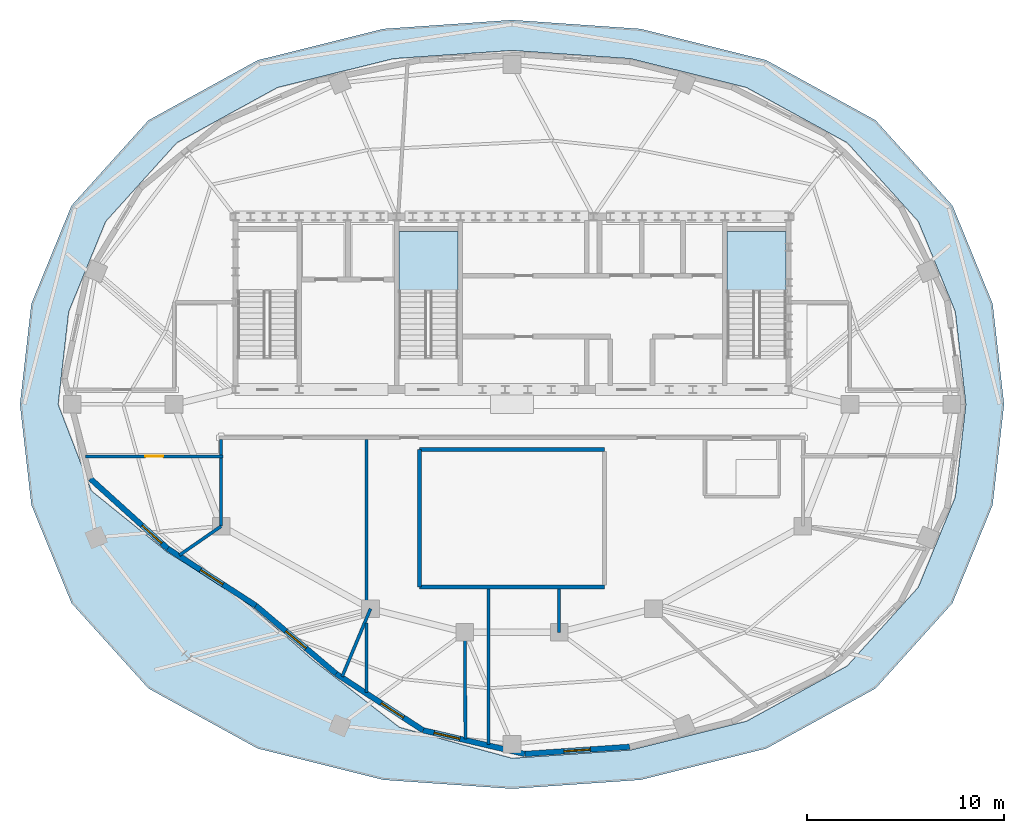
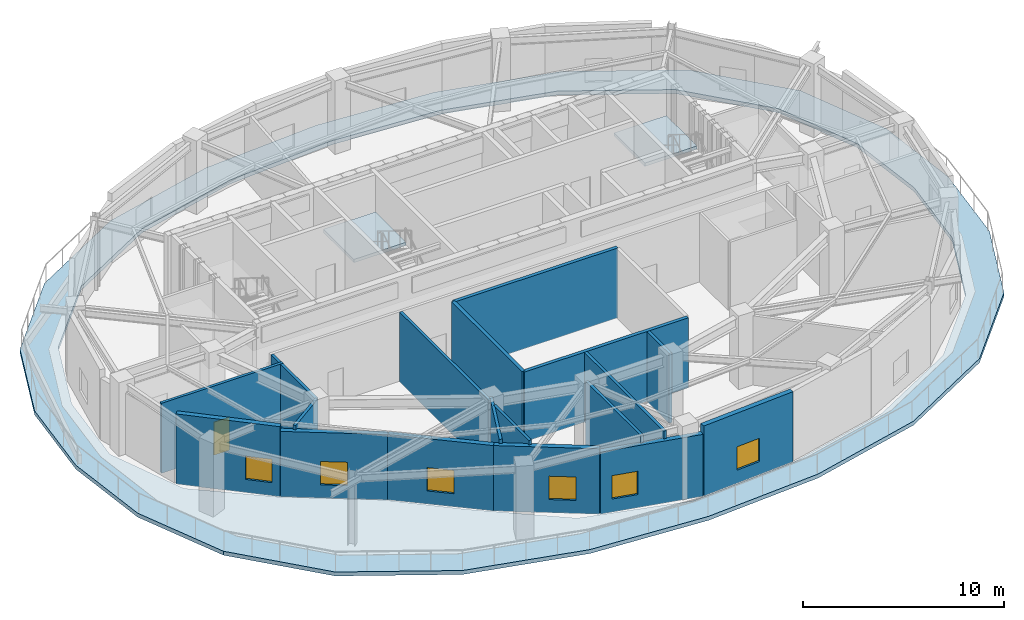
# One storey, part 3 of 10: 19 walls, 6 windows, 3 slabs, 1 door, 7 openings, 2 elements without a shape of their own.
"""IFC4 building model written with IfcOpenShell, lengths in metres."""

from ifc_helpers import new_model, si_unit, direction, frame, frame_2d, origin, place, context, subcontext, project, spatial, polyline, rectangle, outline, extrude, material, layer, layer_set, type_object, element, fill, aggregate, save


model = new_model("IFC4")

# Units and contexts
model_context = context("Model", 3, precision=1e-05, world=origin(), true_north=direction((0.0, 1.0)))
body_context = subcontext(model_context, "Body", "Model", "MODEL_VIEW")
ifc_project = project(units=[si_unit("LENGTHUNIT", "METRE"), si_unit("AREAUNIT", "SQUARE_METRE"), si_unit("VOLUMEUNIT", "CUBIC_METRE"), si_unit("PLANEANGLEUNIT", "RADIAN"), si_unit("MASSUNIT", "GRAM", prefix="KILO")], contexts=[model_context])

# Site, building, storey
site_placement = place(None, origin())
site = spatial("IfcSite", under=ifc_project, at=site_placement, CompositionType="ELEMENT")
building_placement = place(site_placement, origin())
building = spatial("IfcBuilding", under=site, at=building_placement, Name="Haldorwick Loom Tower", CompositionType="ELEMENT")
storey_placement = place(building_placement, frame((0.0, 0.0, 273.0)))
storey = spatial("IfcBuildingStorey", under=building, at=storey_placement, Name="L74", CompositionType="ELEMENT", Elevation=273.0)

# Stair, slab
ifc_material_1 = material(Name="Concrete C40 (40 MPa)", Category="concrete")
stair_type = type_object("IfcStairType", Name="STR-STR-CORE", PredefinedType="HALF_TURN_STAIR", material=ifc_material_1)
stair_1_placement = place(storey_placement, origin())
stair_1 = element("IfcStair", 1, at=stair_1_placement, inside=storey, type_object=stair_type, Name="L74 Exit Stair ST-02", PredefinedType="HALF_TURN_STAIR")
ifc_layer_1 = layer(ifc_material_1, 0.199951171875, Name="Concrete C40 (40 MPa)", Category="concrete")
ifc_layer_set_1 = layer_set([ifc_layer_1], Name="Concrete C40 (40 MPa)")
slab_type_1 = type_object("IfcSlabType", Name="STR-SLB-LAND200", PredefinedType="LANDING", material=ifc_layer_set_1)
slab_1_placement = place(storey_placement, frame((0.0, 0.0, 2.050048828125)))
slab_1 = element("IfcSlab", 2, at=slab_1_placement, type_object=slab_type_1, Name="ST-02 landing 1", PredefinedType="LANDING", context=body_context, shape_type="SweptSolid", body=[
    extrude(outline(polyline([(49.949951171875, 31.760009765625), (49.949951171875, 34.800048828125), (46.949951171875, 34.800048828125), (46.949951171875, 31.760009765625), (49.949951171875, 31.760009765625)])), origin(), (0.0, 0.0, 1.0), 0.199951171875),
])
aggregate(stair_1, [slab_1])

stair_2_placement = place(storey_placement, origin())
stair_2 = element("IfcStair", 3, at=stair_2_placement, inside=storey, type_object=stair_type, Name="L74 Exit Stair ST-03", PredefinedType="HALF_TURN_STAIR")
slab_2_placement = place(storey_placement, frame((0.0, 0.0, 2.050048828125)))
slab_2 = element("IfcSlab", 4, at=slab_2_placement, type_object=slab_type_1, Name="ST-03 landing 1", PredefinedType="LANDING", context=body_context, shape_type="SweptSolid", body=[
    extrude(outline(polyline([(33.25, 31.760009765625), (33.25, 34.800048828125), (30.25, 34.800048828125), (30.25, 31.760009765625), (33.25, 31.760009765625)])), origin(), (0.0, 0.0, 1.0), 0.199951171875),
])
aggregate(stair_2, [slab_2])

# Slab
ifc_layer_2 = layer(ifc_material_1, 0.280029296875, Name="Concrete C40 (40 MPa)", Category="concrete")
ifc_layer_set_2 = layer_set([ifc_layer_2], Name="Concrete C40 (40 MPa)")
slab_type_2 = type_object("IfcSlabType", Name="STR-SLB-TERR280", PredefinedType="FLOOR", material=ifc_layer_set_2)
slab_3_placement = place(storey_placement, frame((0.0, 0.0, -0.239990234375)))
element("IfcSlab", 5, at=slab_3_placement, inside=storey, type_object=slab_type_2, Name="L74 Planted Setback Terrace Slab 1", PredefinedType="FLOOR", context=body_context, shape_type="SweptSolid", body=[
    extrude(outline(polyline([(61.03662109375, 25.997802734375), (61.03662109375, 26.0), (61.03662109375, 26.002197265625), (60.4560546875, 31.11669921875), (60.455810546875, 31.118408203125), (60.455322265625, 31.1201171875), (60.45458984375, 31.1220703125), (58.415283203125, 36.106689453125), (58.414794921875, 36.1083984375), (58.413818359375, 36.10986328125), (58.412841796875, 36.111328125), (58.411865234375, 36.112548828125), (54.50244140625, 40.45068359375), (54.5009765625, 40.452392578125), (54.4990234375, 40.45361328125), (54.497314453125, 40.454833984375), (48.943115234375, 43.509765625), (48.94140625, 43.510498046875), (48.93994140625, 43.510986328125), (48.938232421875, 43.51171875), (42.5546875, 45.105712890625), (42.552978515625, 45.10595703125), (42.551025390625, 45.106201171875), (36.00146484375, 45.559814453125), (35.99853515625, 45.559814453125), (29.448974609375, 45.106201171875), (29.447021484375, 45.10595703125), (29.4453125, 45.105712890625), (23.061767578125, 43.51171875), (23.06005859375, 43.510986328125), (23.05859375, 43.510498046875), (23.056884765625, 43.509765625), (17.502685546875, 40.454833984375), (17.5009765625, 40.45361328125), (17.4990234375, 40.452392578125), (17.49755859375, 40.45068359375), (13.588134765625, 36.112548828125), (13.587158203125, 36.111328125), (13.586181640625, 36.10986328125), (13.585205078125, 36.1083984375), (13.584716796875, 36.106689453125), (11.54541015625, 31.1220703125), (11.544677734375, 31.1201171875), (11.544189453125, 31.118408203125), (11.5439453125, 31.11669921875), (10.96337890625, 26.002197265625), (10.96337890625, 26.0), (10.96337890625, 25.997802734375), (11.5439453125, 20.88330078125), (11.544189453125, 20.881591796875), (11.544677734375, 20.8798828125), (11.54541015625, 20.8779296875), (13.584716796875, 15.893310546875), (13.585205078125, 15.8916015625), (13.586181640625, 15.89013671875), (13.587158203125, 15.888671875), (13.588134765625, 15.887451171875), (17.49755859375, 11.54931640625), (17.4990234375, 11.547607421875), (17.5009765625, 11.54638671875), (17.502685546875, 11.545166015625), (23.056884765625, 8.490234375), (23.05859375, 8.489501953125), (23.06005859375, 8.489013671875), (23.061767578125, 8.48828125), (29.4453125, 6.894287109375), (29.447021484375, 6.89404296875), (29.448974609375, 6.893798828125), (35.99853515625, 6.440185546875), (36.00146484375, 6.440185546875), (42.551025390625, 6.893798828125), (42.552978515625, 6.89404296875), (42.5546875, 6.894287109375), (48.938232421875, 8.48828125), (48.93994140625, 8.489013671875), (48.94140625, 8.489501953125), (48.943115234375, 8.490234375), (54.497314453125, 11.545166015625), (54.4990234375, 11.54638671875), (54.5009765625, 11.547607421875), (54.50244140625, 11.54931640625), (58.411865234375, 15.887451171875), (58.412841796875, 15.888671875), (58.413818359375, 15.89013671875), (58.414794921875, 15.8916015625), (58.415283203125, 15.893310546875), (60.45458984375, 20.8779296875), (60.455322265625, 20.8798828125), (60.455810546875, 20.881591796875), (60.4560546875, 20.88330078125), (61.03662109375, 25.997802734375)]), holes=[polyline([(59.095703125, 25.99853515625), (59.095703125, 25.998046875), (58.56005859375, 21.28857421875), (58.56005859375, 21.2880859375), (58.559814453125, 21.28759765625), (58.559814453125, 21.28662109375), (58.5595703125, 21.2861328125), (58.559326171875, 21.285400390625), (58.55908203125, 21.28466796875), (58.558837890625, 21.2841796875), (56.677001953125, 16.693359375), (56.6767578125, 16.69287109375), (56.676513671875, 16.6923828125), (56.676025390625, 16.691650390625), (56.67578125, 16.691162109375), (56.67529296875, 16.6904296875), (56.67529296875, 16.690185546875), (56.6748046875, 16.689453125), (56.67431640625, 16.68896484375), (56.674072265625, 16.688720703125), (53.066162109375, 12.693115234375), (53.065673828125, 12.69287109375), (53.065185546875, 12.692138671875), (53.064208984375, 12.69140625), (53.06396484375, 12.691162109375), (53.06298828125, 12.6904296875), (53.062255859375, 12.68994140625), (53.061767578125, 12.689697265625), (47.937255859375, 9.876708984375), (47.936767578125, 9.876708984375), (47.936279296875, 9.876220703125), (47.935546875, 9.8759765625), (47.93505859375, 9.875732421875), (47.934326171875, 9.87548828125), (47.93359375, 9.875244140625), (47.93310546875, 9.875244140625), (42.044677734375, 8.407958984375), (42.044189453125, 8.407958984375), (42.043701171875, 8.40771484375), (42.042724609375, 8.40771484375), (42.042236328125, 8.40771484375), (42.041748046875, 8.407470703125), (36.001220703125, 7.989990234375), (36.000732421875, 7.98974609375), (36.0, 7.98974609375), (35.998779296875, 7.989990234375), (35.998291015625, 7.989990234375), (35.9970703125, 7.989990234375), (35.996337890625, 7.990234375), (35.99560546875, 7.990478515625), (30.265869140625, 9.567138671875), (30.265380859375, 9.567138671875), (30.2646484375, 9.5673828125), (30.263916015625, 9.56787109375), (30.26318359375, 9.568115234375), (30.262451171875, 9.568359375), (30.261962890625, 9.568603515625), (30.26123046875, 9.569091796875), (30.260498046875, 9.569580078125), (30.26025390625, 9.56982421875), (25.861083984375, 12.99560546875), (25.86083984375, 12.995849609375), (25.8603515625, 12.99609375), (25.860107421875, 12.996337890625), (22.33154296875, 16.083984375), (22.330322265625, 16.0849609375), (22.328857421875, 16.0859375), (18.447021484375, 18.48583984375), (18.446533203125, 18.486083984375), (18.445556640625, 18.48681640625), (18.445068359375, 18.4873046875), (14.604736328125, 21.5888671875), (14.6044921875, 21.589111328125), (14.603759765625, 21.589599609375), (14.60302734375, 21.590576171875), (14.602783203125, 21.5908203125), (14.60205078125, 21.591796875), (14.601806640625, 21.592041015625), (14.601318359375, 21.593017578125), (14.600830078125, 21.593505859375), (14.600341796875, 21.594482421875), (14.60009765625, 21.59521484375), (14.599853515625, 21.595703125), (12.9052734375, 25.994384765625), (12.905029296875, 25.994873046875), (12.90478515625, 25.99560546875), (12.904541015625, 25.996337890625), (12.904541015625, 25.996826171875), (12.904296875, 25.997802734375), (12.904296875, 25.998291015625), (12.904296875, 25.999267578125), (12.904296875, 25.999755859375), (12.904296875, 26.000732421875), (12.904296875, 26.00146484375), (12.904296875, 26.001953125), (13.43994140625, 30.71142578125), (13.43994140625, 30.7119140625), (13.440185546875, 30.71240234375), (13.440185546875, 30.71337890625), (13.4404296875, 30.7138671875), (13.440673828125, 30.714599609375), (13.44091796875, 30.71533203125), (13.441162109375, 30.7158203125), (15.322998046875, 35.306640625), (15.3232421875, 35.30712890625), (15.323486328125, 35.3076171875), (15.323974609375, 35.308349609375), (15.32421875, 35.308837890625), (15.32470703125, 35.3095703125), (15.32470703125, 35.309814453125), (15.3251953125, 35.310546875), (15.32568359375, 35.31103515625), (15.325927734375, 35.311279296875), (18.933837890625, 39.306884765625), (18.934326171875, 39.30712890625), (18.934814453125, 39.307861328125), (18.935791015625, 39.30859375), (18.93603515625, 39.308837890625), (18.93701171875, 39.3095703125), (18.937744140625, 39.31005859375), (18.938232421875, 39.310302734375), (24.062744140625, 42.123291015625), (24.063232421875, 42.123291015625), (24.063720703125, 42.123779296875), (24.064453125, 42.1240234375), (24.06494140625, 42.124267578125), (24.065673828125, 42.12451171875), (24.06640625, 42.124755859375), (24.06689453125, 42.124755859375), (29.955322265625, 43.592041015625), (29.955810546875, 43.592041015625), (29.956298828125, 43.59228515625), (29.957275390625, 43.59228515625), (29.957763671875, 43.59228515625), (29.958251953125, 43.592529296875), (35.99853515625, 44.010009765625), (35.999267578125, 44.01025390625), (36.000732421875, 44.01025390625), (36.00146484375, 44.010009765625), (42.041748046875, 43.592529296875), (42.042236328125, 43.59228515625), (42.042724609375, 43.59228515625), (42.043701171875, 43.59228515625), (42.044189453125, 43.592041015625), (42.044677734375, 43.592041015625), (47.93310546875, 42.124755859375), (47.93359375, 42.124755859375), (47.934326171875, 42.12451171875), (47.93505859375, 42.124267578125), (47.935546875, 42.1240234375), (47.936279296875, 42.123779296875), (47.936767578125, 42.123291015625), (47.937255859375, 42.123291015625), (53.061767578125, 39.310302734375), (53.062255859375, 39.31005859375), (53.06298828125, 39.3095703125), (53.06396484375, 39.308837890625), (53.064208984375, 39.30859375), (53.065185546875, 39.307861328125), (53.065673828125, 39.30712890625), (53.066162109375, 39.306884765625), (56.674072265625, 35.311279296875), (56.67431640625, 35.31103515625), (56.6748046875, 35.310546875), (56.67529296875, 35.309814453125), (56.67529296875, 35.3095703125), (56.67578125, 35.308837890625), (56.676025390625, 35.308349609375), (56.676513671875, 35.3076171875), (56.6767578125, 35.30712890625), (56.677001953125, 35.306640625), (58.558837890625, 30.7158203125), (58.55908203125, 30.71533203125), (58.559326171875, 30.714599609375), (58.5595703125, 30.7138671875), (58.559814453125, 30.71337890625), (58.559814453125, 30.71240234375), (58.56005859375, 30.7119140625), (58.56005859375, 30.71142578125), (59.095703125, 26.001953125), (59.095703125, 26.00146484375), (59.095703125, 26.00048828125), (59.095703125, 25.99951171875), (59.095703125, 25.99853515625)])]), origin(), (0.0, 0.0, 1.0), 0.239990234375),
])

# Wall, opening, window
ifc_material_2 = material(Name="Pressed Clay Face Brick and Insulated Masonry Backup Assembly", Category="masonry")
ifc_layer_3 = layer(ifc_material_2, 0.280029296875, Name="Pressed Clay Face Brick and Insulated Masonry Backup Assembly", Category="masonry")
ifc_layer_set_3 = layer_set([ifc_layer_3], Name="Pressed Clay Face Brick and Insulated Masonry Backup Assembly")
wall_type_1 = type_object("IfcWallType", Name="ARC-WL-EXT280", PredefinedType="STANDARD", material=ifc_layer_set_3)
wall_1_placement = place(storey_placement, frame((14.5458984375, 22.214599609375, 0.0), z_axis=(0.0, 0.0, 1.0), x_axis=(0.741893966834, -0.670517219745, 0.0)))
wall_1 = element("IfcWall", 6, at=wall_1_placement, inside=storey, type_object=wall_type_1, Name="L74 Brick Pier and Spandrel Wall 14", PredefinedType="STANDARD", context=body_context, shape_type="SweptSolid", body=[
    extrude(rectangle(XDim=5.294921875, YDim=0.280029296875, at=frame_2d((2.6474609375, 0.0))), origin(), (0.0, 0.0, 1.0), 4.260009765625),
])
opening_1_placement = place(wall_1_placement, frame((3.54443359375, 0.0, 0.800048828125)))
opening_1 = element("IfcOpeningElement", 7, at=opening_1_placement, cuts=wall_1, Name="Opening W-02B", PredefinedType="OPENING", context=body_context, shape_type="SweptSolid", body=[
    extrude(rectangle(XDim=1.35009765625, YDim=1.419921875, at=frame_2d((0.675048828125, 0.7099609375))), frame((0.0, 0.14990234375, 0.0), z_axis=(0.0, -1.0, 0.0), x_axis=(1.0, 0.0, 0.0)), (0.0, 0.0, 1.0), 0.300048828125),
])
ifc_material_3 = material(Name="Triple-Glazed Low-E Argon Insulated Glazing Unit", Category="glass")
window_type = type_object("IfcWindowType", Name="ARC-WIN-W135", PartitioningType="SINGLE_PANEL", PredefinedType="WINDOW", material=ifc_material_3)
window_1_placement = place(opening_1_placement, origin())
window_1 = element("IfcWindow", 8, at=window_1_placement, inside=storey, type_object=window_type, Name="L74 Deep-Set Zone 7A Window 14", OverallHeight=1.419921875, OverallWidth=1.35009765625, PartitioningType="SINGLE_PANEL", PredefinedType="WINDOW", context=body_context, shape_type="SweptSolid", body=[
    extrude(rectangle(XDim=1.35009765625, YDim=1.419921875, at=frame_2d((0.675048828125, 0.7099609375))), frame((0.0, 0.030029296875, 0.0), z_axis=(0.0, -1.0, 0.0), x_axis=(1.0, 0.0, 0.0)), (0.0, 0.0, 1.0), 0.06005859375),
])
fill(opening_1, window_1)

wall_2_placement = place(storey_placement, frame((18.47412109375, 18.664306640625, 0.0), z_axis=(0.0, 0.0, 1.0), x_axis=(0.839523652685, -0.543323141953, 0.0)))
wall_2 = element("IfcWall", 9, at=wall_2_placement, inside=storey, type_object=wall_type_1, Name="L74 Brick Pier and Spandrel Wall 15", PredefinedType="STANDARD", context=body_context, shape_type="SweptSolid", body=[
    extrude(rectangle(XDim=5.3525390625, YDim=0.280029296875, at=frame_2d((2.67626953125, 0.0))), origin(), (0.0, 0.0, 1.0), 3.97705078125),
])
opening_2_placement = place(wall_2_placement, frame((2.001220703125, 0.0, 0.800048828125)))
opening_2 = element("IfcOpeningElement", 10, at=opening_2_placement, cuts=wall_2, Name="Opening W-02B", PredefinedType="OPENING", context=body_context, shape_type="SweptSolid", body=[
    extrude(rectangle(XDim=1.35009765625, YDim=1.419921875, at=frame_2d((0.675048828125, 0.7099609375))), frame((0.0, 0.14990234375, 0.0), z_axis=(0.0, -1.0, 0.0), x_axis=(1.0, 0.0, 0.0)), (0.0, 0.0, 1.0), 0.300048828125),
])
window_2_placement = place(opening_2_placement, origin())
window_2 = element("IfcWindow", 11, at=window_2_placement, inside=storey, type_object=window_type, Name="L74 Deep-Set Zone 7A Window 15", OverallHeight=1.419921875, OverallWidth=1.35009765625, PartitioningType="SINGLE_PANEL", PredefinedType="WINDOW", context=body_context, shape_type="SweptSolid", body=[
    extrude(rectangle(XDim=1.35009765625, YDim=1.419921875, at=frame_2d((0.675048828125, 0.7099609375))), frame((0.0, 0.030029296875, 0.0), z_axis=(0.0, -1.0, 0.0), x_axis=(1.0, 0.0, 0.0)), (0.0, 0.0, 1.0), 0.06005859375),
])
fill(opening_2, window_2)

wall_3_placement = place(storey_placement, frame((22.9677734375, 15.756103515625, 0.0), z_axis=(0.0, 0.0, 1.0), x_axis=(0.76232000916, -0.647200280929, 0.0)))
wall_3 = element("IfcWall", 12, at=wall_3_placement, inside=storey, type_object=wall_type_1, Name="L74 Brick Pier and Spandrel Wall 16", PredefinedType="STANDARD", context=body_context, shape_type="SweptSolid", body=[
    extrude(rectangle(XDim=5.346435546875, YDim=0.280029296875, at=frame_2d((2.67333984375, 0.0))), origin(), (0.0, 0.0, 1.0), 3.97705078125),
])
opening_3_placement = place(wall_3_placement, frame((1.998291015625, 0.0, 0.800048828125)))
opening_3 = element("IfcOpeningElement", 13, at=opening_3_placement, cuts=wall_3, Name="Opening W-02B", PredefinedType="OPENING", context=body_context, shape_type="SweptSolid", body=[
    extrude(rectangle(XDim=1.35009765625, YDim=1.419921875, at=frame_2d((0.675048828125, 0.7099609375))), frame((0.0, 0.14990234375, 0.0), z_axis=(0.0, -1.0, 0.0), x_axis=(1.0, 0.0, 0.0)), (0.0, 0.0, 1.0), 0.300048828125),
])
window_3_placement = place(opening_3_placement, origin())
window_3 = element("IfcWindow", 14, at=window_3_placement, inside=storey, type_object=window_type, Name="L74 Deep-Set Zone 7A Window 16", OverallHeight=1.419921875, OverallWidth=1.35009765625, PartitioningType="SINGLE_PANEL", PredefinedType="WINDOW", context=body_context, shape_type="SweptSolid", body=[
    extrude(rectangle(XDim=1.35009765625, YDim=1.419921875, at=frame_2d((0.675048828125, 0.7099609375))), frame((0.0, 0.030029296875, 0.0), z_axis=(0.0, -1.0, 0.0), x_axis=(1.0, 0.0, 0.0)), (0.0, 0.0, 1.0), 0.06005859375),
])
fill(opening_3, window_3)

wall_4_placement = place(storey_placement, frame((27.04345703125, 12.2958984375, 0.0), z_axis=(0.0, 0.0, 1.0), x_axis=(0.838286152691, -0.545230525747, 0.0)))
wall_4 = element("IfcWall", 15, at=wall_4_placement, inside=storey, type_object=wall_type_1, Name="L74 Brick Pier and Spandrel Wall 17", PredefinedType="STANDARD", context=body_context, shape_type="SweptSolid", body=[
    extrude(rectangle(XDim=5.279296875, YDim=0.280029296875, at=frame_2d((2.6396484375, 0.0))), origin(), (0.0, 0.0, 1.0), 3.97705078125),
])
opening_4_placement = place(wall_4_placement, frame((2.746826171875, 0.0, 0.800048828125)))
opening_4 = element("IfcOpeningElement", 16, at=opening_4_placement, cuts=wall_4, Name="Opening W-02B", PredefinedType="OPENING", context=body_context, shape_type="SweptSolid", body=[
    extrude(rectangle(XDim=1.35009765625, YDim=1.419921875, at=frame_2d((0.675048828125, 0.7099609375))), frame((0.0, 0.14990234375, 0.0), z_axis=(0.0, -1.0, 0.0), x_axis=(1.0, 0.0, 0.0)), (0.0, 0.0, 1.0), 0.300048828125),
])
window_4_placement = place(opening_4_placement, origin())
window_4 = element("IfcWindow", 17, at=window_4_placement, inside=storey, type_object=window_type, Name="L74 Deep-Set Zone 7A Window 17", OverallHeight=1.419921875, OverallWidth=1.35009765625, PartitioningType="SINGLE_PANEL", PredefinedType="WINDOW", context=body_context, shape_type="SweptSolid", body=[
    extrude(rectangle(XDim=1.35009765625, YDim=1.419921875, at=frame_2d((0.675048828125, 0.7099609375))), frame((0.0, 0.030029296875, 0.0), z_axis=(0.0, -1.0, 0.0), x_axis=(1.0, 0.0, 0.0)), (0.0, 0.0, 1.0), 0.06005859375),
])
fill(opening_4, window_4)

wall_5_placement = place(storey_placement, frame((31.468994140625, 9.41748046875, 0.0), z_axis=(0.0, 0.0, 1.0), x_axis=(0.973892982034, -0.227007620017, 0.0)))
wall_5 = element("IfcWall", 18, at=wall_5_placement, inside=storey, type_object=wall_type_1, Name="L74 Brick Pier and Spandrel Wall 18", PredefinedType="STANDARD", context=body_context, shape_type="SweptSolid", body=[
    extrude(rectangle(XDim=5.3193359375, YDim=0.280029296875, at=frame_2d((2.65966796875, 0.0))), origin(), (0.0, 0.0, 1.0), 3.76904296875),
])
opening_5_placement = place(wall_5_placement, frame((0.5791015625, 0.0, 0.800048828125)))
opening_5 = element("IfcOpeningElement", 19, at=opening_5_placement, cuts=wall_5, Name="Opening W-02B", PredefinedType="OPENING", context=body_context, shape_type="SweptSolid", body=[
    extrude(rectangle(XDim=1.35009765625, YDim=1.419921875, at=frame_2d((0.675048828125, 0.7099609375))), frame((0.0, 0.14990234375, 0.0), z_axis=(0.0, -1.0, 0.0), x_axis=(1.0, 0.0, 0.0)), (0.0, 0.0, 1.0), 0.300048828125),
])
window_5_placement = place(opening_5_placement, origin())
window_5 = element("IfcWindow", 20, at=window_5_placement, inside=storey, type_object=window_type, Name="L74 Deep-Set Zone 7A Window 18", OverallHeight=1.419921875, OverallWidth=1.35009765625, PartitioningType="SINGLE_PANEL", PredefinedType="WINDOW", context=body_context, shape_type="SweptSolid", body=[
    extrude(rectangle(XDim=1.35009765625, YDim=1.419921875, at=frame_2d((0.675048828125, 0.7099609375))), frame((0.0, 0.030029296875, 0.0), z_axis=(0.0, -1.0, 0.0), x_axis=(1.0, 0.0, 0.0)), (0.0, 0.0, 1.0), 0.06005859375),
])
fill(opening_5, window_5)

wall_6_placement = place(storey_placement, frame((36.6494140625, 8.2099609375, 0.0), z_axis=(0.0, 0.0, 1.0), x_axis=(0.997682285592, 0.068044522312, 0.0)))
wall_6 = element("IfcWall", 21, at=wall_6_placement, inside=storey, type_object=wall_type_1, Name="L74 Brick Pier and Spandrel Wall 19", PredefinedType="STANDARD", context=body_context, shape_type="SweptSolid", body=[
    extrude(rectangle(XDim=5.353271484375, YDim=0.280029296875, at=frame_2d((2.6767578125, 0.0))), origin(), (0.0, 0.0, 1.0), 4.260009765625),
])
opening_6_placement = place(wall_6_placement, frame((2.001708984375, 0.0, 0.800048828125)))
opening_6 = element("IfcOpeningElement", 22, at=opening_6_placement, cuts=wall_6, Name="Opening W-02B", PredefinedType="OPENING", context=body_context, shape_type="SweptSolid", body=[
    extrude(rectangle(XDim=1.35009765625, YDim=1.419921875, at=frame_2d((0.675048828125, 0.7099609375))), frame((0.0, 0.14990234375, 0.0), z_axis=(0.0, -1.0, 0.0), x_axis=(1.0, 0.0, 0.0)), (0.0, 0.0, 1.0), 0.300048828125),
])
window_6_placement = place(opening_6_placement, origin())
window_6 = element("IfcWindow", 23, at=window_6_placement, inside=storey, type_object=window_type, Name="L74 Deep-Set Zone 7A Window 19", OverallHeight=1.419921875, OverallWidth=1.35009765625, PartitioningType="SINGLE_PANEL", PredefinedType="WINDOW", context=body_context, shape_type="SweptSolid", body=[
    extrude(rectangle(XDim=1.35009765625, YDim=1.419921875, at=frame_2d((0.675048828125, 0.7099609375))), frame((0.0, 0.030029296875, 0.0), z_axis=(0.0, -1.0, 0.0), x_axis=(1.0, 0.0, 0.0)), (0.0, 0.0, 1.0), 0.06005859375),
])
fill(opening_6, window_6)

# Wall, opening, door
ifc_material_4 = material(Name="Fire-Rated Type X Gypsum Stud Assembly EI 60")
ifc_layer_4 = layer(ifc_material_4, 0.159912109375, Name="Fire-Rated Type X Gypsum Stud Assembly EI 60")
ifc_layer_set_4 = layer_set([ifc_layer_4], Name="Fire-Rated Type X Gypsum Stud Assembly EI 60")
wall_type_2 = type_object("IfcWallType", Name="ARC-WL-FIRE160", PredefinedType="PARTITIONING", material=ifc_layer_set_4)
wall_7_placement = place(storey_placement, frame((14.297607421875, 23.35009765625, 0.0), z_axis=(0.0, 0.0, 1.0), x_axis=(1.0, 0.0, 0.0)))
wall_7 = element("IfcWall", 24, at=wall_7_placement, inside=storey, type_object=wall_type_2, Name="L74 Residential Fire Partition L74-CR-SPW", PredefinedType="PARTITIONING", context=body_context, shape_type="SweptSolid", body=[
    extrude(rectangle(XDim=7.00244140625, YDim=0.159912109375, at=frame_2d((3.501220703125, 0.0))), origin(), (0.0, 0.0, 1.0), 4.2451171875),
])
opening_7_placement = place(wall_7_placement, frame((3.051025390625, 0.0, 0.0)))
opening_7 = element("IfcOpeningElement", 25, at=opening_7_placement, cuts=wall_7, Name="Opening D-FD60A", PredefinedType="OPENING", context=body_context, shape_type="SweptSolid", body=[
    extrude(rectangle(XDim=0.89990234375, YDim=2.0, at=frame_2d((0.449951171875, 1.0))), frame((0.0, 0.08984375, 0.0), z_axis=(0.0, -1.0, 0.0), x_axis=(1.0, 0.0, 0.0)), (0.0, 0.0, 1.0), 0.179931640625),
])
ifc_material_5 = material(Name="Hollow Steel Fire Door Assembly", Category="steel")
door_type = type_object("IfcDoorType", Name="ARC-DR-FD60-90", OperationType="NOTDEFINED", PredefinedType="DOOR", material=ifc_material_5)
door_placement = place(opening_7_placement, origin())
door = element("IfcDoor", 26, at=door_placement, inside=storey, type_object=door_type, Name="L74 L74 Central Residential Corridor to Wellness Consultation Room 5 Doo", OperationType="SINGLE_SWING_RIGHT", OverallHeight=2.0, OverallWidth=0.89990234375, PredefinedType="DOOR", context=body_context, shape_type="SweptSolid", body=[
    extrude(rectangle(XDim=0.89990234375, YDim=2.0, at=frame_2d((0.449951171875, 1.0))), frame((0.0, 0.02490234375, 0.0), z_axis=(0.0, -1.0, 0.0), x_axis=(1.0, 0.0, 0.0)), (0.0, 0.0, 1.0), 0.050048828125),
])
fill(opening_7, door)

# Walls
wall_8_placement = place(storey_placement, frame((21.199951171875, 23.43310546875, 0.0), z_axis=(0.0, 0.0, 1.0), x_axis=(0.0, 1.0, 0.0)))
element("IfcWall", 27, at=wall_8_placement, inside=storey, type_object=wall_type_2, Name="L74 Residential Fire Partition L74-CR-STW", PredefinedType="PARTITIONING", context=body_context, shape_type="SweptSolid", body=[
    extrude(rectangle(XDim=0.783935546875, YDim=0.159912109375, at=frame_2d((0.39208984375, 0.0))), origin(), (0.0, 0.0, 1.0), 4.2451171875),
])
wall_9_placement = place(storey_placement, frame((33.60009765625, 14.39990234375, 0.0), z_axis=(0.0, 0.0, 1.0), x_axis=(0.00538567657, -0.999985497139, 0.0)))
element("IfcWall", 28, at=wall_9_placement, inside=storey, type_object=wall_type_2, Name="L74 Residential Fire Partition L74-ICR-07", PredefinedType="PARTITIONING", context=body_context, shape_type="SweptSolid", body=[
    extrude(rectangle(XDim=5.439697265625, YDim=0.159912109375, at=frame_2d((2.7197265625, 0.0))), origin(), (0.0, 0.0, 1.0), 4.2451171875),
])
wall_10_placement = place(storey_placement, frame((28.800048828125, 15.60009765625, 0.0), z_axis=(0.0, 0.0, 1.0), x_axis=(-0.385828334468, -0.922570591511, 0.0)))
element("IfcWall", 29, at=wall_10_placement, inside=storey, type_object=wall_type_2, Name="L74 Residential Fire Partition L74-ICR-09", PredefinedType="PARTITIONING", context=body_context, shape_type="SweptSolid", body=[
    extrude(rectangle(XDim=3.743408203125, YDim=0.159912109375, at=frame_2d((1.87158203125, 0.0))), origin(), (0.0, 0.0, 1.0), 4.2451171875),
])
wall_11_placement = place(storey_placement, frame((21.199951171875, 19.800048828125, 0.0), z_axis=(0.0, 0.0, 1.0), x_axis=(-0.821824665359, -0.569740484262, 0.0)))
element("IfcWall", 30, at=wall_11_placement, inside=storey, type_object=wall_type_2, Name="L74 Residential Fire Partition L74-ICR-11", PredefinedType="PARTITIONING", context=body_context, shape_type="SweptSolid", body=[
    extrude(rectangle(XDim=2.583984375, YDim=0.159912109375, at=frame_2d((1.2919921875, 0.0))), origin(), (0.0, 0.0, 1.0), 4.2451171875),
])
wall_12_placement = place(storey_placement, frame((34.800048828125, 8.687255859375, 0.0), z_axis=(0.0, 0.0, 1.0), x_axis=(0.0, 1.0, 0.0)))
element("IfcWall", 31, at=wall_12_placement, inside=storey, type_object=wall_type_2, Name="L74 Residential Fire Partition L74-SBP-0", PredefinedType="PARTITIONING", context=body_context, shape_type="SweptSolid", body=[
    extrude(rectangle(XDim=7.90966796875, YDim=0.159912109375, at=frame_2d((3.954833984375, 0.0))), origin(), (0.0, 0.0, 1.0), 4.2451171875),
])
wall_13_placement = place(storey_placement, frame((38.39990234375, 16.596923828125, 0.0), z_axis=(0.0, 0.0, 1.0), x_axis=(0.0, -1.0, 0.0)))
element("IfcWall", 32, at=wall_13_placement, inside=storey, type_object=wall_type_2, Name="L74 Residential Fire Partition L74-ICA-05", PredefinedType="PARTITIONING", context=body_context, shape_type="SweptSolid", body=[
    extrude(rectangle(XDim=2.197021484375, YDim=0.159912109375, at=frame_2d((1.0986328125, 0.0))), origin(), (0.0, 0.0, 1.0), 4.2451171875),
])
wall_14_placement = place(storey_placement, frame((21.199951171875, 23.26708984375, 0.0), z_axis=(0.0, 0.0, 1.0), x_axis=(0.0, -1.0, 0.0)))
element("IfcWall", 33, at=wall_14_placement, inside=storey, type_object=wall_type_2, Name="L74 Residential Fire Partition L74-ICA-10", PredefinedType="PARTITIONING", context=body_context, shape_type="SweptSolid", body=[
    extrude(rectangle(XDim=3.467041015625, YDim=0.159912109375, at=frame_2d((1.7333984375, 0.0))), origin(), (0.0, 0.0, 1.0), 4.2451171875),
])
wall_15_placement = place(storey_placement, frame((28.589599609375, 11.343994140625, 0.0), z_axis=(0.0, 0.0, 1.0), x_axis=(0.0, 1.0, 0.0)))
element("IfcWall", 34, at=wall_15_placement, inside=storey, type_object=wall_type_2, Name="L74 Suite Split Wall", PredefinedType="PARTITIONING", context=body_context, shape_type="SweptSolid", body=[
    extrude(rectangle(XDim=3.53759765625, YDim=0.159912109375, at=frame_2d((1.768798828125, 0.0))), origin(), (0.0, 0.0, 1.0), 4.2451171875),
])
wall_16_placement = place(storey_placement, frame((28.589599609375, 15.311767578125, 0.0), z_axis=(0.0, 0.0, 1.0), x_axis=(0.0, 1.0, 0.0)))
element("IfcWall", 35, at=wall_16_placement, inside=storey, type_object=wall_type_2, Name="L74 Suite Split Wall", PredefinedType="PARTITIONING", context=body_context, shape_type="SweptSolid", body=[
    extrude(rectangle(XDim=8.9052734375, YDim=0.159912109375, at=frame_2d((4.45263671875, 0.0))), origin(), (0.0, 0.0, 1.0), 4.2451171875),
])
ifc_material_6 = material(Name="Fire-Rated Type X Gypsum Stud Assembly EI 120")
ifc_layer_5 = layer(ifc_material_6, 0.199951171875, Name="Fire-Rated Type X Gypsum Stud Assembly EI 120")
ifc_layer_set_5 = layer_set([ifc_layer_5], Name="Fire-Rated Type X Gypsum Stud Assembly EI 120")
wall_type_3 = type_object("IfcWallType", Name="ARC-WL-FIRE200", PredefinedType="PARTITIONING", material=ifc_layer_set_5)
for number, where, z_axis, x_axis, name in (
    (36, (31.300048828125, 23.699951171875, 0.0), (0.0, 0.0, 1.0), (1.0, 0.0, 0.0), "L74 Atrium Fire Enclosure Wall N"),
    (37, (40.699951171875, 16.699951171875, 0.0), (0.0, 0.0, 1.0), (-1.0, 0.0, 0.0), "L74 Atrium Fire Enclosure Wall S"),
):
    element("IfcWall", number, at=place(storey_placement, frame(where, z_axis=z_axis, x_axis=x_axis)), inside=storey, type_object=wall_type_3, Name=name, PredefinedType="PARTITIONING", context=body_context, shape_type="SweptSolid", body=[
        extrude(rectangle(XDim=9.39990234375, YDim=0.199951171875, at=frame_2d((4.699951171875, 0.0))), origin(), (0.0, 0.0, 1.0), 4.2451171875),
    ])
wall_17_placement = place(storey_placement, frame((31.300048828125, 16.699951171875, 0.0), z_axis=(0.0, 0.0, 1.0), x_axis=(0.0, 1.0, 0.0)))
element("IfcWall", 38, at=wall_17_placement, inside=storey, type_object=wall_type_3, Name="L74 Atrium Fire Enclosure Wall W", PredefinedType="PARTITIONING", context=body_context, shape_type="SweptSolid", body=[
    extrude(rectangle(XDim=7.0, YDim=0.199951171875, at=frame_2d((3.5, 0.0))), origin(), (0.0, 0.0, 1.0), 4.2451171875),
])

save(model, "model.ifc")
